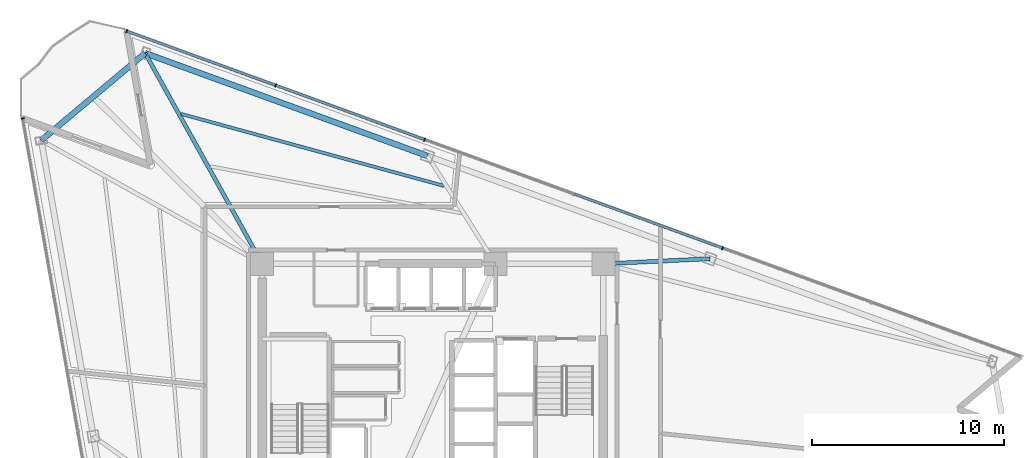
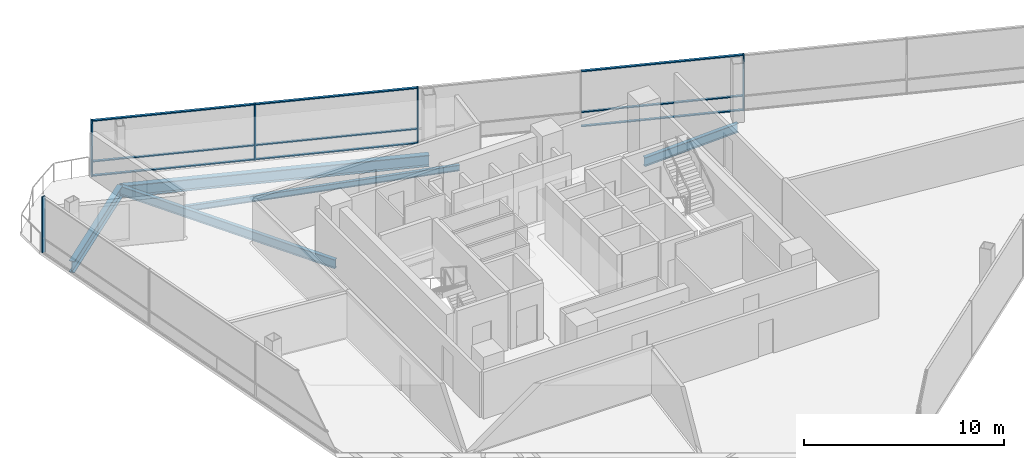
# One storey, part 7 of 17: 14 members, 5 beams, 2 elements without a shape of their own.
"""IFC4 building model written with IfcOpenShell, lengths in metres."""

from ifc_helpers import new_model, si_unit, direction, frame, origin, origin_2d, place, context, subcontext, project, spatial, rectangle, i_section, extrude, material, layer, layer_set, material_profile, profile_set, type_object, element, aggregate, save


model = new_model("IFC4")

# Units and contexts
model_context = context("Model", 3, precision=1e-05, world=origin(), true_north=direction((0.0, 1.0)))
body_context = subcontext(model_context, "Body", "Model", "MODEL_VIEW")
ifc_project = project(units=[si_unit("LENGTHUNIT", "METRE"), si_unit("AREAUNIT", "SQUARE_METRE"), si_unit("VOLUMEUNIT", "CUBIC_METRE"), si_unit("PLANEANGLEUNIT", "RADIAN"), si_unit("MASSUNIT", "GRAM", prefix="KILO")], contexts=[model_context])

# Site, building, storey
site_placement = place(None, origin())
site = spatial("IfcSite", under=ifc_project, at=site_placement, CompositionType="ELEMENT")
building_placement = place(site_placement, origin())
building = spatial("IfcBuilding", under=site, at=building_placement, Name="Tharavind Bronze Gate", CompositionType="ELEMENT")
storey_placement = place(building_placement, frame((0.0, 0.0, 184.89990234375)))
storey = spatial("IfcBuildingStorey", under=building, at=storey_placement, Name="L47", CompositionType="ELEMENT", Elevation=184.89990234375)

# Curtain wall, member
ifc_material_1 = material(Name="Anodised Bronze Aluminium", Category="aluminium")
ifc_layer = layer(ifc_material_1, 0.219970703125)
ifc_layer_set = layer_set([ifc_layer], Name="Anodised Bronze Aluminium")
curtain_wall_type = type_object("IfcCurtainWallType", Name="UNITISED CURTAIN WALL MID OFFICE", PredefinedType="USERDEFINED", material=ifc_layer_set)
curtain_wall_1_placement = place(storey_placement, origin())
curtain_wall_1 = element("IfcCurtainWall", 1, at=curtain_wall_1_placement, inside=storey, type_object=curtain_wall_type, Name="L47 unitised curtain wall mid office CW-L47-S1", ObjectType="UNITISED CURTAIN WALL", PredefinedType="USERDEFINED")
member_type_1 = type_object("IfcMemberType", Name="CURTAIN WALL BRONZE MULLION 65X180", PredefinedType="MULLION", material=ifc_material_1)
member_1_placement = place(storey_placement, frame((-21.396728515625, 15.1923828125, 0.000244140625), z_axis=(0.0, 0.0, 1.0), x_axis=(0.173648177667, -0.984807753012, 0.0)))
member_1 = element("IfcMember", 2, at=member_1_placement, type_object=member_type_1, Name="CW-L47-S1 mullion 1", PredefinedType="MULLION", context=body_context, shape_type="SweptSolid", body=[
    extrude(rectangle(XDim=0.06494140625, YDim=0.179931640625, at=origin_2d()), origin(), (0.0, 0.0, 1.0), 3.419921875),
])
aggregate(curtain_wall_1, [member_1])

# Curtain wall, members
curtain_wall_2_placement = place(storey_placement, origin())
curtain_wall_2 = element("IfcCurtainWall", 3, at=curtain_wall_2_placement, inside=storey, type_object=curtain_wall_type, Name="L47 unitised curtain wall mid office CW-L47-S3", ObjectType="UNITISED CURTAIN WALL", PredefinedType="USERDEFINED")
member_2_placement = place(storey_placement, frame((15.12451171875, 8.424560546875, 0.000244140625), z_axis=(0.0, 0.0, 1.0), x_axis=(-0.939692023847, 0.342021783398, 0.0)))
member_2 = element("IfcMember", 4, at=member_2_placement, type_object=member_type_1, Name="CW-L47-S3 mullion 3", PredefinedType="MULLION", context=body_context, shape_type="SweptSolid", body=[
    extrude(rectangle(XDim=0.06494140625, YDim=0.179931640625, at=origin_2d()), origin(), (0.0, 0.0, 1.0), 3.419921875),
])
member_3_placement = place(storey_placement, frame((-0.42431640625, 14.083984375, 0.000244140625), z_axis=(0.0, 0.0, 1.0), x_axis=(-0.939692023847, 0.342021783398, 0.0)))
member_3 = element("IfcMember", 5, at=member_3_placement, type_object=member_type_1, Name="CW-L47-S3 mullion 5", PredefinedType="MULLION", context=body_context, shape_type="SweptSolid", body=[
    extrude(rectangle(XDim=0.06494140625, YDim=0.179931640625, at=origin_2d()), origin(), (0.0, 0.0, 1.0), 3.419921875),
])
member_4_placement = place(storey_placement, frame((-8.19873046875, 16.91357421875, 0.000244140625), z_axis=(0.0, 0.0, 1.0), x_axis=(-0.939692023847, 0.342021783398, 0.0)))
member_4 = element("IfcMember", 6, at=member_4_placement, type_object=member_type_1, Name="CW-L47-S3 mullion 6", PredefinedType="MULLION", context=body_context, shape_type="SweptSolid", body=[
    extrude(rectangle(XDim=0.06494140625, YDim=0.179931640625, at=origin_2d()), origin(), (0.0, 0.0, 1.0), 3.419921875),
])
member_5_placement = place(storey_placement, frame((-15.97314453125, 19.743408203125, 0.000244140625), z_axis=(0.0, 0.0, 1.0), x_axis=(-0.939692023847, 0.342021783398, 0.0)))
member_5 = element("IfcMember", 7, at=member_5_placement, type_object=member_type_1, Name="CW-L47-S3 mullion 7", PredefinedType="MULLION", context=body_context, shape_type="SweptSolid", body=[
    extrude(rectangle(XDim=0.06494140625, YDim=0.179931640625, at=origin_2d()), origin(), (0.0, 0.0, 1.0), 3.419921875),
])
member_type_2 = type_object("IfcMemberType", Name="CURTAIN WALL BRONZE TRANSOM 65X140", PredefinedType="USERDEFINED", material=ifc_material_1)
member_6_placement = place(storey_placement, frame((11.2373046875, 9.839599609375, 0.000244140625), z_axis=(0.0, 0.0, 1.0), x_axis=(-0.939692023847, 0.342021783398, 0.0)))
member_6 = element("IfcMember", 8, at=member_6_placement, type_object=member_type_2, Name="CW-L47-S3 transom TB3", ObjectType="TRANSOM", PredefinedType="USERDEFINED", context=body_context, shape_type="SweptSolid", body=[
    extrude(rectangle(XDim=8.220458984375, YDim=0.139892578125, at=origin_2d()), origin(), (0.0, 0.0, 1.0), 0.06494140625),
])
member_7_placement = place(storey_placement, frame((11.2373046875, 9.839599609375, 0.86767578125), z_axis=(0.0, 0.0, 1.0), x_axis=(-0.939692023847, 0.342021783398, 0.0)))
member_7 = element("IfcMember", 9, at=member_7_placement, type_object=member_type_2, Name="CW-L47-S3 transom TS3", ObjectType="TRANSOM", PredefinedType="USERDEFINED", context=body_context, shape_type="SweptSolid", body=[
    extrude(rectangle(XDim=8.220458984375, YDim=0.139892578125, at=origin_2d()), origin(), (0.0, 0.0, 1.0), 0.06494140625),
])
member_8_placement = place(storey_placement, frame((11.2373046875, 9.839599609375, 3.355224609375), z_axis=(0.0, 0.0, 1.0), x_axis=(-0.939692023847, 0.342021783398, 0.0)))
member_8 = element("IfcMember", 10, at=member_8_placement, type_object=member_type_2, Name="CW-L47-S3 transom TT3", ObjectType="TRANSOM", PredefinedType="USERDEFINED", context=body_context, shape_type="SweptSolid", body=[
    extrude(rectangle(XDim=8.220458984375, YDim=0.139892578125, at=origin_2d()), origin(), (0.0, 0.0, 1.0), 0.06494140625),
])
member_9_placement = place(storey_placement, frame((-4.3115234375, 15.498779296875, 0.000244140625), z_axis=(0.0, 0.0, 1.0), x_axis=(-0.939692023847, 0.342021783398, 0.0)))
member_9 = element("IfcMember", 11, at=member_9_placement, type_object=member_type_2, Name="CW-L47-S3 transom TB5", ObjectType="TRANSOM", PredefinedType="USERDEFINED", context=body_context, shape_type="SweptSolid", body=[
    extrude(rectangle(XDim=8.220458984375, YDim=0.139892578125, at=origin_2d()), origin(), (0.0, 0.0, 1.0), 0.06494140625),
])
member_10_placement = place(storey_placement, frame((-4.3115234375, 15.498779296875, 0.86767578125), z_axis=(0.0, 0.0, 1.0), x_axis=(-0.939692023847, 0.342021783398, 0.0)))
member_10 = element("IfcMember", 12, at=member_10_placement, type_object=member_type_2, Name="CW-L47-S3 transom TS5", ObjectType="TRANSOM", PredefinedType="USERDEFINED", context=body_context, shape_type="SweptSolid", body=[
    extrude(rectangle(XDim=8.220458984375, YDim=0.139892578125, at=origin_2d()), origin(), (0.0, 0.0, 1.0), 0.06494140625),
])
member_11_placement = place(storey_placement, frame((-4.3115234375, 15.498779296875, 3.355224609375), z_axis=(0.0, 0.0, 1.0), x_axis=(-0.939692023847, 0.342021783398, 0.0)))
member_11 = element("IfcMember", 13, at=member_11_placement, type_object=member_type_2, Name="CW-L47-S3 transom TT5", ObjectType="TRANSOM", PredefinedType="USERDEFINED", context=body_context, shape_type="SweptSolid", body=[
    extrude(rectangle(XDim=8.220458984375, YDim=0.139892578125, at=origin_2d()), origin(), (0.0, 0.0, 1.0), 0.06494140625),
])
member_12_placement = place(storey_placement, frame((-12.0859375, 18.32861328125, 0.000244140625), z_axis=(0.0, 0.0, 1.0), x_axis=(-0.939692023847, 0.342021783398, 0.0)))
member_12 = element("IfcMember", 14, at=member_12_placement, type_object=member_type_2, Name="CW-L47-S3 transom TB6", ObjectType="TRANSOM", PredefinedType="USERDEFINED", context=body_context, shape_type="SweptSolid", body=[
    extrude(rectangle(XDim=8.220458984375, YDim=0.139892578125, at=origin_2d()), origin(), (0.0, 0.0, 1.0), 0.06494140625),
])
member_13_placement = place(storey_placement, frame((-12.0859375, 18.32861328125, 0.86767578125), z_axis=(0.0, 0.0, 1.0), x_axis=(-0.939692023847, 0.342021783398, 0.0)))
member_13 = element("IfcMember", 15, at=member_13_placement, type_object=member_type_2, Name="CW-L47-S3 transom TS6", ObjectType="TRANSOM", PredefinedType="USERDEFINED", context=body_context, shape_type="SweptSolid", body=[
    extrude(rectangle(XDim=8.220458984375, YDim=0.139892578125, at=origin_2d()), origin(), (0.0, 0.0, 1.0), 0.06494140625),
])
member_14_placement = place(storey_placement, frame((-12.0859375, 18.32861328125, 3.355224609375), z_axis=(0.0, 0.0, 1.0), x_axis=(-0.939692023847, 0.342021783398, 0.0)))
member_14 = element("IfcMember", 16, at=member_14_placement, type_object=member_type_2, Name="CW-L47-S3 transom TT6", ObjectType="TRANSOM", PredefinedType="USERDEFINED", context=body_context, shape_type="SweptSolid", body=[
    extrude(rectangle(XDim=8.220458984375, YDim=0.139892578125, at=origin_2d()), origin(), (0.0, 0.0, 1.0), 0.06494140625),
])
aggregate(curtain_wall_2, [member_2, member_3, member_4, member_5, member_6, member_7, member_8, member_9, member_10, member_11, member_12, member_13, member_14])

# Beams
ifc_material_2 = material(Name="Steel S355", Category="steel")
ifc_material_profile_1 = material_profile(ifc_material_2, i_section(OverallWidth=0.2099609375, OverallDepth=0.550048828125, WebThickness=0.010986328125, FlangeThickness=0.01708984375, at=origin_2d()), Name="IPE550")
ifc_profile_set_1 = profile_set([ifc_material_profile_1], Name="Steel S355")
beam_type_1 = type_object("IfcBeamType", Name="PRIMARY GIRDER IPE550", PredefinedType="USERDEFINED", material=ifc_profile_set_1)
beam_1_placement = place(storey_placement, frame((14.461181640625, 7.867919921875, -0.454833984375), z_axis=(-0.998842397835, -0.048102643243, 0.0), x_axis=(0.048102643243, -0.998842397835, 0.0)))
element("IfcBeam", 17, at=beam_1_placement, inside=storey, type_object=beam_type_1, Name="L47 primary girder ipe550 BM-L47-RAD10", ObjectType="GIRDER", PredefinedType="USERDEFINED", context=body_context, shape_type="SweptSolid", body=[
    extrude(i_section(OverallWidth=0.2099609375, OverallDepth=0.550048828125, WebThickness=0.010986328125, FlangeThickness=0.01708984375, at=origin_2d()), origin(), (0.0, 0.0, 1.0), 5.567626953125),
])
beam_2_placement = place(storey_placement, frame((-15.0087890625, 18.59423828125, -0.454833984375), z_axis=(0.485705558329, -0.874122480324, 0.0), x_axis=(0.874122480324, 0.485705558329, 0.0)))
element("IfcBeam", 18, at=beam_2_placement, inside=storey, type_object=beam_type_1, Name="L47 primary girder ipe550 BM-L47-RAD12", ObjectType="GIRDER", PredefinedType="USERDEFINED", context=body_context, shape_type="SweptSolid", body=[
    extrude(i_section(OverallWidth=0.2099609375, OverallDepth=0.550048828125, WebThickness=0.010986328125, FlangeThickness=0.01708984375, at=origin_2d()), origin(), (0.0, 0.0, 1.0), 12.577392578125),
])
ifc_material_profile_2 = material_profile(ifc_material_2, i_section(OverallWidth=0.300048828125, OverallDepth=0.699951171875, WebThickness=0.01708984375, FlangeThickness=0.031982421875, at=origin_2d()), Name="HE700B")
ifc_profile_set_2 = profile_set([ifc_material_profile_2], Name="Steel S355")
beam_type_2 = type_object("IfcBeamType", Name="RING GIRDER HE700B", PredefinedType="USERDEFINED", material=ifc_profile_set_2)
beam_3_placement = place(storey_placement, frame((-0.27392578125, 13.231201171875, -0.52978515625), z_axis=(-0.939692918618, 0.342019325037, 0.0), x_axis=(-0.342019325037, -0.939692918618, 0.0)))
element("IfcBeam", 19, at=beam_3_placement, inside=storey, type_object=beam_type_2, Name="L47 ring girder he700b BM-L47-PRG11", ObjectType="GIRDER", PredefinedType="USERDEFINED", context=body_context, shape_type="SweptSolid", body=[
    extrude(i_section(OverallWidth=0.300048828125, OverallDepth=0.699951171875, WebThickness=0.01708984375, FlangeThickness=0.031982421875, at=origin_2d()), origin(), (0.0, 0.0, 1.0), 15.680419921875),
])
beam_4_placement = place(storey_placement, frame((-15.0087890625, 18.59423828125, -0.52978515625), z_axis=(-0.766051869817, -0.642778758789, 0.0), x_axis=(0.642778758789, -0.766051869817, 0.0)))
element("IfcBeam", 20, at=beam_4_placement, inside=storey, type_object=beam_type_2, Name="L47 ring girder he700b BM-L47-PRG12", ObjectType="GIRDER", PredefinedType="USERDEFINED", context=body_context, shape_type="SweptSolid", body=[
    extrude(i_section(OverallWidth=0.300048828125, OverallDepth=0.699951171875, WebThickness=0.01708984375, FlangeThickness=0.031982421875, at=origin_2d()), origin(), (0.0, 0.0, 1.0), 7.080322265625),
])
ifc_material_profile_3 = material_profile(ifc_material_2, i_section(OverallWidth=0.169921875, OverallDepth=0.360107421875, WebThickness=0.008056640625, FlangeThickness=0.0126953125, at=origin_2d()), Name="IPE360")
ifc_profile_set_3 = profile_set([ifc_material_profile_3], Name="Steel S355")
beam_type_3 = type_object("IfcBeamType", Name="SECONDARY FLOOR JOIST IPE360", PredefinedType="JOIST", material=ifc_profile_set_3)
beam_5_placement = place(storey_placement, frame((0.5849609375, 11.66845703125, -0.35986328125), z_axis=(-0.964511642121, 0.264040323081, 0.0), x_axis=(-0.264040323081, -0.964511642121, 0.0)))
element("IfcBeam", 21, at=beam_5_placement, inside=storey, type_object=beam_type_3, Name="L47 secondary floor joist ipe360 BM-L47-JSTB11", PredefinedType="JOIST", context=body_context, shape_type="SweptSolid", body=[
    extrude(i_section(OverallWidth=0.169921875, OverallDepth=0.360107421875, WebThickness=0.008056640625, FlangeThickness=0.0126953125, at=origin_2d()), origin(), (0.0, 0.0, 1.0), 14.211669921875),
])

save(model, "model.ifc")
